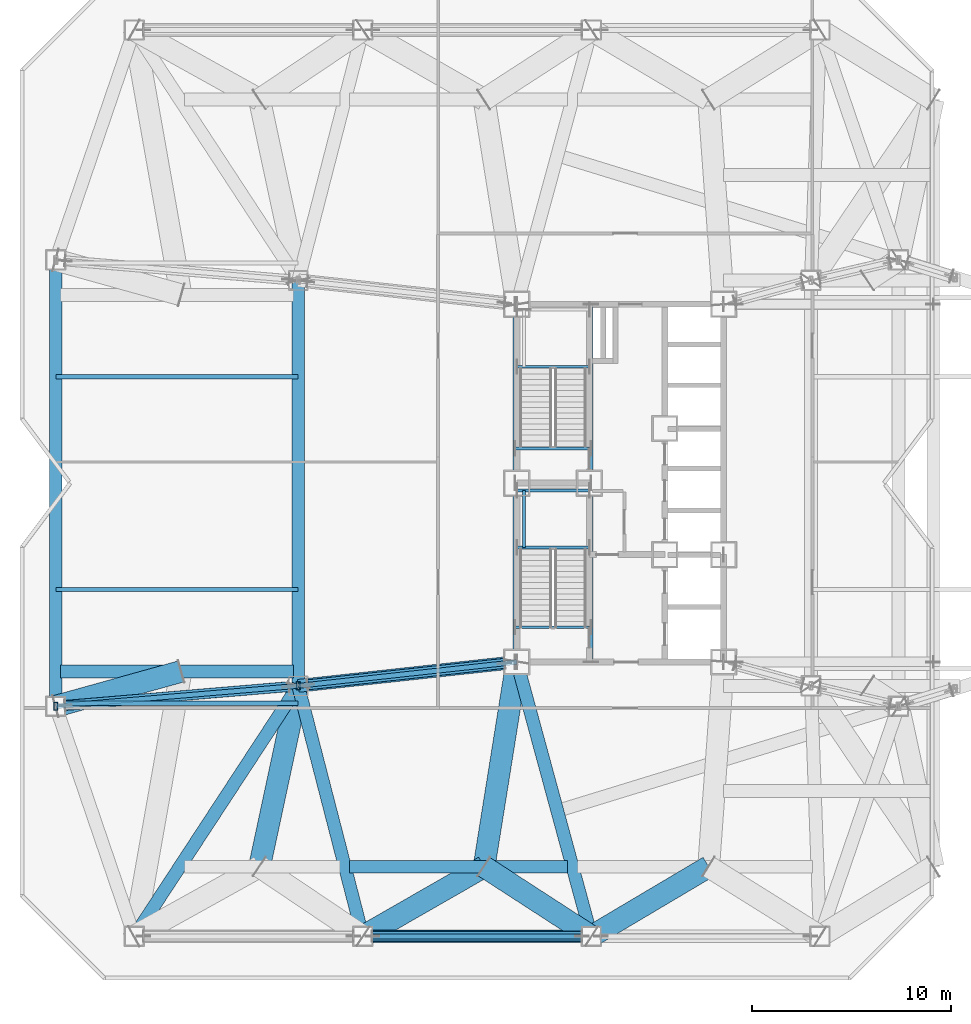
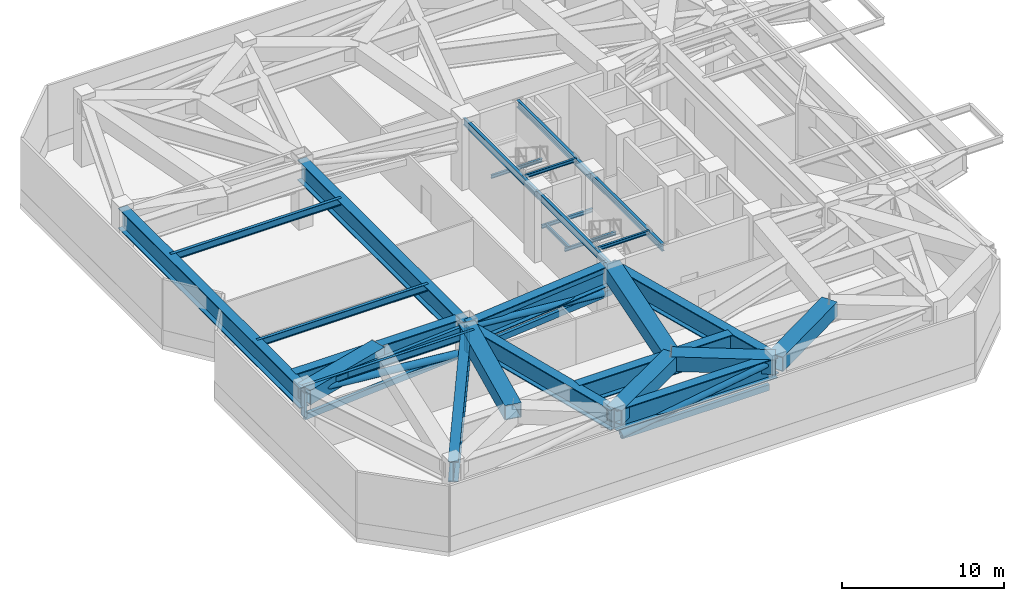
# One storey, part 2 of 18: 28 beams, 10 members.
"""IFC4 building model written with IfcOpenShell, lengths in metres."""

from ifc_helpers import new_model, si_unit, direction, frame, origin, origin_2d, place, context, subcontext, project, spatial, hollow_rectangle, hollow_circle, i_section, extrude, material, material_profile, profile_set, type_object, element, save


model = new_model("IFC4")

# Units and contexts
model_context = context("Model", 3, precision=1e-05, world=origin(), true_north=direction((0.0, 1.0)))
body_context = subcontext(model_context, "Body", "Model", "MODEL_VIEW")
ifc_project = project(units=[si_unit("LENGTHUNIT", "METRE"), si_unit("AREAUNIT", "SQUARE_METRE"), si_unit("VOLUMEUNIT", "CUBIC_METRE"), si_unit("PLANEANGLEUNIT", "RADIAN"), si_unit("MASSUNIT", "GRAM", prefix="KILO")], contexts=[model_context])

# Site, building, storey
site_placement = place(None, origin())
site = spatial("IfcSite", under=ifc_project, at=site_placement, CompositionType="ELEMENT")
building_placement = place(site_placement, origin())
building = spatial("IfcBuilding", under=site, at=building_placement, Name="Khamvora Tower", CompositionType="ELEMENT")
storey_placement = place(building_placement, frame((0.0, 0.0, 84.39990234375)))
storey = spatial("IfcBuildingStorey", under=building, at=storey_placement, Name="L21", CompositionType="ELEMENT", Elevation=84.39990234375)

# Beams
ifc_material_1 = material(Name="Steel S355", Category="steel")
ifc_material_profile_1 = material_profile(ifc_material_1, i_section(OverallWidth=0.14697265625, OverallDepth=0.261962890625, WebThickness=0.007080078125, FlangeThickness=0.010986328125, FilletRadius=0.008056640625, at=origin_2d()), Name="W250x39")
ifc_profile_set_1 = profile_set([ifc_material_profile_1], Name="Steel S355")
beam_type_1 = type_object("IfcBeamType", Name="BM-LN-W250x39", PredefinedType="LINTEL", material=ifc_profile_set_1)
for number, where, z_axis, x_axis, name in (
    (1, (29.0, 24.7548828125, 2.369140625), (1.0, 0.0, 0.0), (0.0, 1.0, 0.0), "L21 ST-01 half-landing support beam 1.1"),
    (2, (29.0, 27.6298828125, 2.369140625), (1.0, 0.0, 0.0), (0.0, 1.0, 0.0), "L21 ST-01 half-landing support beam 1.2"),
):
    element("IfcBeam", number, at=place(storey_placement, frame(where, z_axis=z_axis, x_axis=x_axis)), inside=storey, type_object=beam_type_1, Name=name, PredefinedType="LINTEL", context=body_context, shape_type="SweptSolid", body=[
        extrude(i_section(OverallWidth=0.14697265625, OverallDepth=0.261962890625, WebThickness=0.007080078125, FlangeThickness=0.010986328125, FilletRadius=0.008056640625, at=origin_2d()), origin(), (0.0, 0.0, 1.0), 3.64990234375),
    ])
beam_1_placement = place(storey_placement, frame((29.35009765625, 24.7548828125, 2.369140625), z_axis=(0.0, 1.0, 0.0), x_axis=(-1.0, 0.0, 0.0)))
element("IfcBeam", 3, at=beam_1_placement, inside=storey, type_object=beam_type_1, Name="L21 ST-01 half-landing edge stringer 1", PredefinedType="LINTEL", context=body_context, shape_type="SweptSolid", body=[
    extrude(i_section(OverallWidth=0.14697265625, OverallDepth=0.261962890625, WebThickness=0.007080078125, FlangeThickness=0.010986328125, FilletRadius=0.008056640625, at=origin_2d()), origin(), (0.0, 0.0, 1.0), 2.875),
])
beam_2_placement = place(storey_placement, frame((29.0, 33.85498046875, 2.369140625), z_axis=(1.0, 0.0, 0.0), x_axis=(0.0, 1.0, 0.0)))
element("IfcBeam", 4, at=beam_2_placement, inside=storey, type_object=beam_type_1, Name="L21 ST-02 half-landing support beam 1.1", PredefinedType="LINTEL", context=body_context, shape_type="SweptSolid", body=[
    extrude(i_section(OverallWidth=0.14697265625, OverallDepth=0.261962890625, WebThickness=0.007080078125, FlangeThickness=0.010986328125, FilletRadius=0.008056640625, at=origin_2d()), origin(), (0.0, 0.0, 1.0), 3.64990234375),
])
for number, where, z_axis, x_axis, name in (
    (5, (28.89990234375, 20.75, 4.85400390625), (1.0, 0.0, 0.0), (0.0, 1.0, 0.0), "L21 exit stair ST-01 landing trimmer beam"),
    (6, (28.89990234375, 29.75, 4.85400390625), (1.0, 0.0, 0.0), (0.0, 1.0, 0.0), "L21 exit stair ST-02 landing trimmer beam"),
):
    element("IfcBeam", number, at=place(storey_placement, frame(where, z_axis=z_axis, x_axis=x_axis)), inside=storey, type_object=beam_type_1, Name=name, PredefinedType="LINTEL", context=body_context, shape_type="SweptSolid", body=[
        extrude(i_section(OverallWidth=0.14697265625, OverallDepth=0.261962890625, WebThickness=0.007080078125, FlangeThickness=0.010986328125, FilletRadius=0.008056640625, at=origin_2d()), origin(), (0.0, 0.0, 1.0), 3.830078125),
    ])
ifc_material_profile_2 = material_profile(ifc_material_1, i_section(OverallWidth=0.208984375, OverallDepth=0.532958984375, WebThickness=0.010009765625, FlangeThickness=0.01611328125, FilletRadius=0.013916015625, at=origin_2d()), Name="W530x92")
ifc_profile_set_2 = profile_set([ifc_material_profile_2], Name="Steel S355")
beam_type_2 = type_object("IfcBeamType", Name="BM-SP-W530x92", PredefinedType="SPANDREL", material=ifc_profile_set_2)
for number, where, z_axis, x_axis, name in (
    (7, (28.89990234375, 19.0, 4.714111328125), (0.0, 1.0, 0.0), (-1.0, 0.0, 0.0), "L21 core spine girder WS"),
    (8, (28.89990234375, 28.0, 4.714111328125), (0.0, 1.0, 0.0), (-1.0, 0.0, 0.0), "L21 core spine girder WN"),
    (9, (32.72998046875, 19.0, 4.714111328125), (0.0, 1.0, 0.0), (-1.0, 0.0, 0.0), "L21 core spine girder M1S"),
    (10, (32.72998046875, 28.0, 4.714111328125), (0.0, 1.0, 0.0), (-1.0, 0.0, 0.0), "L21 core spine girder M1N"),
):
    element("IfcBeam", number, at=place(storey_placement, frame(where, z_axis=z_axis, x_axis=x_axis)), inside=storey, type_object=beam_type_2, Name=name, PredefinedType="SPANDREL", context=body_context, shape_type="SweptSolid", body=[
        extrude(i_section(OverallWidth=0.208984375, OverallDepth=0.532958984375, WebThickness=0.010009765625, FlangeThickness=0.01611328125, FilletRadius=0.013916015625, at=origin_2d()), origin(), (0.0, 0.0, 1.0), 9.0),
    ])
for number, where, z_axis, x_axis, name in (
    (11, (18.0, 16.925048828125, 4.714111328125), (-1.0, 0.0, 0.0), (0.0, -1.0, 0.0), "L21 continuous gallery cantilever girder L22-WL1-1"),
    (12, (18.0, 22.64990234375, 4.714111328125), (-1.0, 0.0, 0.0), (0.0, -1.0, 0.0), "L21 continuous gallery cantilever girder L22-WL1-2"),
    (13, (18.0, 33.35009765625, 4.714111328125), (-1.0, 0.0, 0.0), (0.0, -1.0, 0.0), "L21 continuous gallery cantilever girder L22-WL2-1"),
):
    element("IfcBeam", number, at=place(storey_placement, frame(where, z_axis=z_axis, x_axis=x_axis)), inside=storey, type_object=beam_type_2, Name=name, PredefinedType="SPANDREL", context=body_context, shape_type="SweptSolid", body=[
        extrude(i_section(OverallWidth=0.208984375, OverallDepth=0.532958984375, WebThickness=0.010009765625, FlangeThickness=0.01611328125, FilletRadius=0.013916015625, at=origin_2d()), origin(), (0.0, 0.0, 1.0), 12.199951171875),
    ])
ifc_material_2 = material(Name="Steel S460", Category="steel")
ifc_material_profile_3 = material_profile(ifc_material_2, hollow_rectangle(XDim=1.10009765625, YDim=1.10009765625, WallThickness=0.054931640625, at=origin_2d()), Name="BOX1100x1100x55")
ifc_profile_set_3 = profile_set([ifc_material_profile_3], Name="Steel S460")
beam_type_3 = type_object("IfcBeamType", Name="BM-TG-BOX1100", PredefinedType="BEAM", material=ifc_profile_set_3)
beam_3_placement = place(storey_placement, frame((18.0, 17.800048828125, 4.43017578125), z_axis=(-0.209521922673, -0.977803949634, 0.0), x_axis=(0.977803949634, -0.209521922673, 0.0)))
element("IfcBeam", 14, at=beam_3_placement, inside=storey, type_object=beam_type_3, Name="L21 Zone Transfer Truss frame transfer link S1.3", PredefinedType="BEAM", context=body_context, shape_type="SweptSolid", body=[
    extrude(hollow_rectangle(XDim=1.10009765625, YDim=1.10009765625, WallThickness=0.054931640625, at=origin_2d()), origin(), (0.0, 0.0, 1.0), 9.306640625),
])
beam_4_placement = place(storey_placement, frame((32.75, 5.199951171875, 4.43017578125), z_axis=(-0.839148497174, 0.543902380662, 0.0), x_axis=(-0.543902380662, -0.839148497174, 0.0)))
element("IfcBeam", 15, at=beam_4_placement, inside=storey, type_object=beam_type_3, Name="L21 Zone Transfer Truss frame transfer link S2.1", PredefinedType="BEAM", context=body_context, shape_type="SweptSolid", body=[
    extrude(hollow_rectangle(XDim=1.10009765625, YDim=1.10009765625, WallThickness=0.054931640625, at=origin_2d()), origin(), (0.0, 0.0, 1.0), 6.43505859375),
])
beam_5_placement = place(storey_placement, frame((21.25, 5.199951171875, 4.43017578125), z_axis=(0.867370207678, 0.49766346343, 0.0), x_axis=(-0.49766346343, 0.867370207678, 0.0)))
element("IfcBeam", 16, at=beam_5_placement, inside=storey, type_object=beam_type_3, Name="L21 Zone Transfer Truss frame transfer link S2.2", PredefinedType="BEAM", context=body_context, shape_type="SweptSolid", body=[
    extrude(hollow_rectangle(XDim=1.10009765625, YDim=1.10009765625, WallThickness=0.054931640625, at=origin_2d()), origin(), (0.0, 0.0, 1.0), 7.032958984375),
])
beam_6_placement = place(storey_placement, frame((29.0, 19.0, 4.43017578125), z_axis=(-0.158167584066, -0.987412282358, 0.0), x_axis=(0.987412282358, -0.158167584066, 0.0)))
element("IfcBeam", 17, at=beam_6_placement, inside=storey, type_object=beam_type_3, Name="L21 Zone Transfer Truss frame transfer link S2.3", PredefinedType="BEAM", context=body_context, shape_type="SweptSolid", body=[
    extrude(hollow_rectangle(XDim=1.10009765625, YDim=1.10009765625, WallThickness=0.054931640625, at=origin_2d()), origin(), (0.0, 0.0, 1.0), 10.431396484375),
])
beam_7_placement = place(storey_placement, frame((32.75, 5.199951171875, 4.43017578125), z_axis=(0.860050948208, 0.510208159957, 0.0), x_axis=(-0.510208159957, 0.860050948208, 0.0)))
element("IfcBeam", 18, at=beam_7_placement, inside=storey, type_object=beam_type_3, Name="L21 Zone Transfer Truss frame transfer link S3.2", PredefinedType="BEAM", context=body_context, shape_type="SweptSolid", body=[
    extrude(hollow_rectangle(XDim=1.10009765625, YDim=1.10009765625, WallThickness=0.054931640625, at=origin_2d()), origin(), (0.0, 0.0, 1.0), 6.85986328125),
])
beam_8_placement = place(storey_placement, frame((5.800048828125, 16.77490234375, 4.43017578125), z_axis=(0.963518444563, 0.267641938021, 0.0), x_axis=(-0.267641938021, 0.963518444563, 0.0)))
element("IfcBeam", 19, at=beam_8_placement, inside=storey, type_object=beam_type_3, Name="L21 Zone Transfer Truss frame transfer link W1.2", PredefinedType="BEAM", context=body_context, shape_type="SweptSolid", body=[
    extrude(hollow_rectangle(XDim=1.10009765625, YDim=1.10009765625, WallThickness=0.054931640625, at=origin_2d()), origin(), (0.0, 0.0, 1.0), 6.53857421875),
])
ifc_material_profile_4 = material_profile(ifc_material_2, i_section(OverallWidth=0.64990234375, OverallDepth=1.550048828125, WebThickness=0.0400390625, FlangeThickness=0.06494140625, at=origin_2d()), Name="PG1550x650x40x65")
ifc_profile_set_4 = profile_set([ifc_material_profile_4], Name="Steel S460")
beam_type_4 = type_object("IfcBeamType", Name="BM-TG-PG1800", PredefinedType="BEAM", material=ifc_profile_set_4)
beam_9_placement = place(storey_placement, frame((21.25, 5.199951171875, 4.205078125), z_axis=(1.0, 0.0, 0.0), x_axis=(0.0, 1.0, 0.0)))
element("IfcBeam", 20, at=beam_9_placement, inside=storey, type_object=beam_type_4, Name="L21 perimeter spandrel beam S2-S3", PredefinedType="BEAM", context=body_context, shape_type="SweptSolid", body=[
    extrude(i_section(OverallWidth=0.64990234375, OverallDepth=1.550048828125, WebThickness=0.0400390625, FlangeThickness=0.06494140625, at=origin_2d()), origin(), (0.0, 0.0, 1.0), 11.5),
])
beam_10_placement = place(storey_placement, frame((5.800048828125, 39.22509765625, 4.205078125), z_axis=(0.0, -1.0, 0.0), x_axis=(1.0, 0.0, 0.0)))
element("IfcBeam", 21, at=beam_10_placement, inside=storey, type_object=beam_type_4, Name="L21 perimeter spandrel beam W2-W1", PredefinedType="BEAM", context=body_context, shape_type="SweptSolid", body=[
    extrude(i_section(OverallWidth=0.64990234375, OverallDepth=1.550048828125, WebThickness=0.0400390625, FlangeThickness=0.06494140625, at=origin_2d()), origin(), (0.0, 0.0, 1.0), 22.4501953125),
])
beam_11_placement = place(storey_placement, frame((18.0, 17.800048828125, 4.205078125), z_axis=(0.0, 1.0, 0.0), x_axis=(-1.0, 0.0, 0.0)))
element("IfcBeam", 22, at=beam_11_placement, inside=storey, type_object=beam_type_4, Name="L21 longitudinal frame girder MW1-MW2", PredefinedType="BEAM", context=body_context, shape_type="SweptSolid", body=[
    extrude(i_section(OverallWidth=0.64990234375, OverallDepth=1.550048828125, WebThickness=0.0400390625, FlangeThickness=0.06494140625, at=origin_2d()), origin(), (0.0, 0.0, 1.0), 20.39990234375),
])
beam_12_placement = place(storey_placement, frame((18.0, 17.800048828125, 4.205078125), z_axis=(-0.547782969742, -0.836620474325, 0.0), x_axis=(0.836620474325, -0.547782969742, 0.0)))
element("IfcBeam", 23, at=beam_12_placement, inside=storey, type_object=beam_type_4, Name="L21 primary floor girder S1", PredefinedType="BEAM", context=body_context, shape_type="SweptSolid", body=[
    extrude(i_section(OverallWidth=0.64990234375, OverallDepth=1.550048828125, WebThickness=0.0400390625, FlangeThickness=0.06494140625, at=origin_2d()), origin(), (0.0, 0.0, 1.0), 15.060791015625),
])
beam_13_placement = place(storey_placement, frame((18.0, 17.800048828125, 4.205078125), z_axis=(0.249759990341, -0.968307775051, 0.0), x_axis=(0.968307775051, 0.249759990341, 0.0)))
element("IfcBeam", 24, at=beam_13_placement, inside=storey, type_object=beam_type_4, Name="L21 primary floor girder S2", PredefinedType="BEAM", context=body_context, shape_type="SweptSolid", body=[
    extrude(i_section(OverallWidth=0.64990234375, OverallDepth=1.550048828125, WebThickness=0.0400390625, FlangeThickness=0.06494140625, at=origin_2d()), origin(), (0.0, 0.0, 1.0), 13.012451171875),
])
beam_14_placement = place(storey_placement, frame((29.0, 19.0, 4.205078125), z_axis=(0.262228883577, -0.965005706003, 0.0), x_axis=(0.965005706003, 0.262228883577, 0.0)))
element("IfcBeam", 25, at=beam_14_placement, inside=storey, type_object=beam_type_4, Name="L21 primary floor girder S3", PredefinedType="BEAM", context=body_context, shape_type="SweptSolid", body=[
    extrude(i_section(OverallWidth=0.64990234375, OverallDepth=1.550048828125, WebThickness=0.0400390625, FlangeThickness=0.06494140625, at=origin_2d()), origin(), (0.0, 0.0, 1.0), 14.300537109375),
])
beam_15_placement = place(storey_placement, frame((29.0, 19.0, 4.205078125), z_axis=(-0.994102652327, -0.108443149329, 0.0), x_axis=(0.108443149329, -0.994102652327, 0.0)))
element("IfcBeam", 26, at=beam_15_placement, inside=storey, type_object=beam_type_4, Name="L21 primary floor girder MW1", PredefinedType="BEAM", context=body_context, shape_type="SweptSolid", body=[
    extrude(i_section(OverallWidth=0.64990234375, OverallDepth=1.550048828125, WebThickness=0.0400390625, FlangeThickness=0.06494140625, at=origin_2d()), origin(), (0.0, 0.0, 1.0), 11.065185546875),
])
beam_16_placement = place(storey_placement, frame((20.5869140625, 8.699951171875, 4.205078125), z_axis=(1.0, 0.0, 0.0), x_axis=(0.0, 1.0, 0.0)))
element("IfcBeam", 27, at=beam_16_placement, inside=storey, type_object=beam_type_4, Name="L21 Zone Transfer Truss Box Girder S2", PredefinedType="BEAM", context=body_context, shape_type="SweptSolid", body=[
    extrude(i_section(OverallWidth=0.64990234375, OverallDepth=1.550048828125, WebThickness=0.0400390625, FlangeThickness=0.06494140625, at=origin_2d()), origin(), (0.0, 0.0, 1.0), 10.97216796875),
])
beam_17_placement = place(storey_placement, frame((6.0400390625, 18.52490234375, 4.205078125), z_axis=(1.0, 0.0, 0.0), x_axis=(0.0, 1.0, 0.0)))
element("IfcBeam", 28, at=beam_17_placement, inside=storey, type_object=beam_type_4, Name="L21 Zone Transfer Truss Box Girder W1", PredefinedType="BEAM", context=body_context, shape_type="SweptSolid", body=[
    extrude(i_section(OverallWidth=0.64990234375, OverallDepth=1.550048828125, WebThickness=0.0400390625, FlangeThickness=0.06494140625, at=origin_2d()), origin(), (0.0, 0.0, 1.0), 11.719970703125),
])

# Members
ifc_material_profile_5 = material_profile(ifc_material_2, hollow_circle(Radius=0.25390625, WallThickness=0.02490234375, at=origin_2d()), Name="CHS508x25")
ifc_profile_set_5 = profile_set([ifc_material_profile_5], Name="Steel S460")
member_type_1 = type_object("IfcMemberType", Name="MEM-BR-CHS508", PredefinedType="BRACE", material=ifc_profile_set_5)
member_1_placement = place(storey_placement, frame((21.72412109375, 5.199951171875, 2.837158203125), z_axis=(0.987035554797, 0.0, 0.160501755648), x_axis=(0.0, 1.0, 0.0)))
element("IfcMember", 29, at=member_1_placement, inside=storey, type_object=member_type_1, Name="L21 Perimeter Belt Truss Diagonal 1.2", PredefinedType="BRACE", context=body_context, shape_type="SweptSolid", body=[
    extrude(hollow_circle(Radius=0.25390625, WallThickness=0.02490234375, at=origin_2d()), origin(), (0.0, 0.0, 1.0), 10.6904296875),
])
ifc_material_profile_6 = material_profile(ifc_material_2, hollow_circle(Radius=0.25390625, WallThickness=0.02490234375, at=origin_2d()), Name="CHS508x25")
ifc_profile_set_6 = profile_set([ifc_material_profile_6], Name="Steel S460")
member_type_2 = type_object("IfcMemberType", Name="MEM-BR-CHS508I", PredefinedType="BRACE", material=ifc_profile_set_6)
member_2_placement = place(storey_placement, frame((28.382080078125, 18.93310546875, 2.864990234375), z_axis=(-0.980195993688, -0.107000705518, 0.166633318927), x_axis=(0.108517901526, -0.99409449503, 0.0)))
element("IfcMember", 30, at=member_2_placement, inside=storey, type_object=member_type_2, Name="L21 Outrigger Truss Web Diagonal 1", PredefinedType="BRACE", context=body_context, shape_type="SweptSolid", body=[
    extrude(hollow_circle(Radius=0.25390625, WallThickness=0.02490234375, at=origin_2d()), origin(), (0.0, 0.0, 1.0), 10.1123046875),
])
member_3_placement = place(storey_placement, frame((17.527099609375, 17.760009765625, 2.83203125), z_axis=(-0.985054429051, -0.082720040238, 0.151080001158), x_axis=(0.083680564324, -0.996492630758, 0.0)))
element("IfcMember", 31, at=member_3_placement, inside=storey, type_object=member_type_2, Name="L21 Outrigger Truss Web Diagonal 2", PredefinedType="BRACE", context=body_context, shape_type="SweptSolid", body=[
    extrude(hollow_circle(Radius=0.25390625, WallThickness=0.02490234375, at=origin_2d()), origin(), (0.0, 0.0, 1.0), 11.4248046875),
])
ifc_material_profile_7 = material_profile(ifc_material_2, hollow_rectangle(XDim=0.25, YDim=0.449951171875, WallThickness=0.01611328125, at=origin_2d()), Name="RHS450x250x16")
ifc_profile_set_7 = profile_set([ifc_material_profile_7], Name="Steel S460")
member_type_3 = type_object("IfcMemberType", Name="MEM-CH-RHS450", PredefinedType="CHORD", material=ifc_profile_set_7)
for number, where, z_axis, x_axis, name in (
    (32, (29.0, 19.0, 4.630126953125), (-0.994102652327, -0.108443149329, 0.0), (0.108443149329, -0.994102652327, 0.0), "L21 Outrigger Truss Top Chord 1"),
    (33, (29.0, 19.0, 2.760009765625), (-0.994102652327, -0.108443149329, 0.0), (0.108443149329, -0.994102652327, 0.0), "L21 Outrigger Truss Bottom Chord 1"),
):
    element("IfcMember", number, at=place(storey_placement, frame(where, z_axis=z_axis, x_axis=x_axis)), inside=storey, type_object=member_type_3, Name=name, PredefinedType="CHORD", context=body_context, shape_type="SweptSolid", body=[
        extrude(hollow_rectangle(XDim=0.25, YDim=0.449951171875, WallThickness=0.01611328125, at=origin_2d()), origin(), (0.0, 0.0, 1.0), 11.065185546875),
    ])
for number, where, z_axis, x_axis, name in (
    (34, (18.0, 17.800048828125, 4.630126953125), (-0.996488172114, -0.083733642207, 0.0), (0.083733642207, -0.996488172114, 0.0), "L21 Outrigger Truss Top Chord 2"),
    (35, (18.0, 17.800048828125, 2.760009765625), (-0.996488172114, -0.083733642207, 0.0), (0.083733642207, -0.996488172114, 0.0), "L21 Outrigger Truss Bottom Chord 2"),
):
    element("IfcMember", number, at=place(storey_placement, frame(where, z_axis=z_axis, x_axis=x_axis)), inside=storey, type_object=member_type_3, Name=name, PredefinedType="CHORD", context=body_context, shape_type="SweptSolid", body=[
        extrude(hollow_rectangle(XDim=0.25, YDim=0.449951171875, WallThickness=0.01611328125, at=origin_2d()), origin(), (0.0, 0.0, 1.0), 12.242919921875),
    ])
member_4_placement = place(storey_placement, frame((21.72998046875, 5.199951171875, 2.760009765625), z_axis=(1.0, 0.0, 0.0), x_axis=(0.0, 1.0, 0.0)))
element("IfcMember", 36, at=member_4_placement, inside=storey, type_object=member_type_3, Name="L21 Perimeter Belt Truss Bottom Chord 1.2", PredefinedType="CHORD", context=body_context, shape_type="SweptSolid", body=[
    extrude(hollow_rectangle(XDim=0.25, YDim=0.449951171875, WallThickness=0.01611328125, at=origin_2d()), origin(), (0.0, 0.0, 1.0), 10.5400390625),
])
ifc_material_profile_8 = material_profile(ifc_material_1, hollow_rectangle(XDim=0.199951171875, YDim=0.39990234375, WallThickness=0.01611328125, at=origin_2d()), Name="RHS400x200x16")
ifc_profile_set_8 = profile_set([ifc_material_profile_8], Name="Steel S355")
member_type_4 = type_object("IfcMemberType", Name="MEM-PS-RHS400", PredefinedType="POST", material=ifc_profile_set_8)
for number, where, z_axis, x_axis, name in (
    (37, (18.0, 17.800048828125, 2.760009765625), (0.0, 0.0, 1.0), (1.0, 0.0, 0.0), "L21 Outrigger Truss Post 1"),
    (38, (5.800048828125, 16.77490234375, 2.760009765625), (0.0, 0.0, 1.0), (1.0, 0.0, 0.0), "L21 Outrigger Truss Post 2"),
):
    element("IfcMember", number, at=place(storey_placement, frame(where, z_axis=z_axis, x_axis=x_axis)), inside=storey, type_object=member_type_4, Name=name, PredefinedType="POST", context=body_context, shape_type="SweptSolid", body=[
        extrude(hollow_rectangle(XDim=0.199951171875, YDim=0.39990234375, WallThickness=0.01611328125, at=origin_2d()), origin(), (0.0, 0.0, 1.0), 1.8701171875),
    ])

save(model, "model.ifc")
